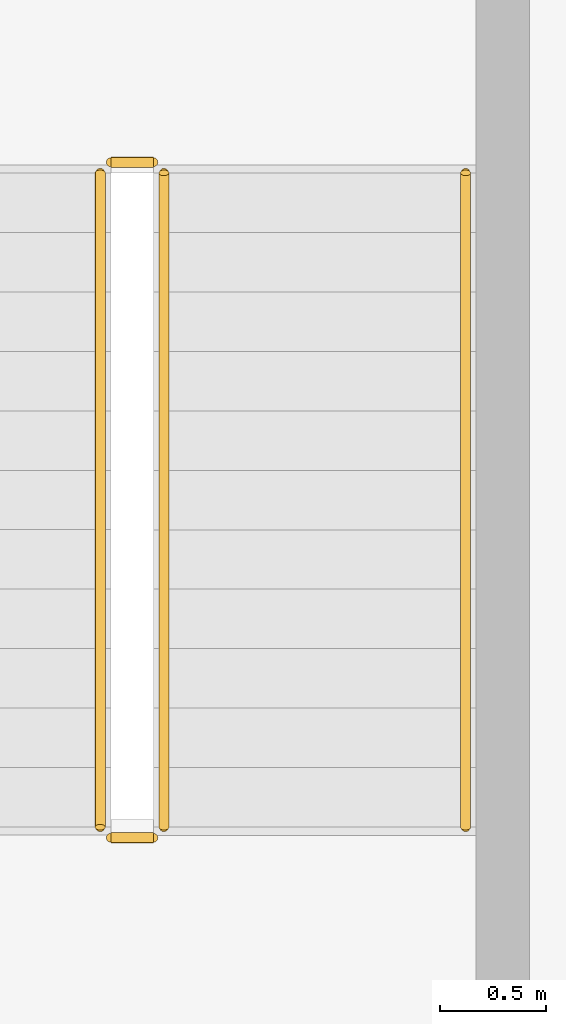
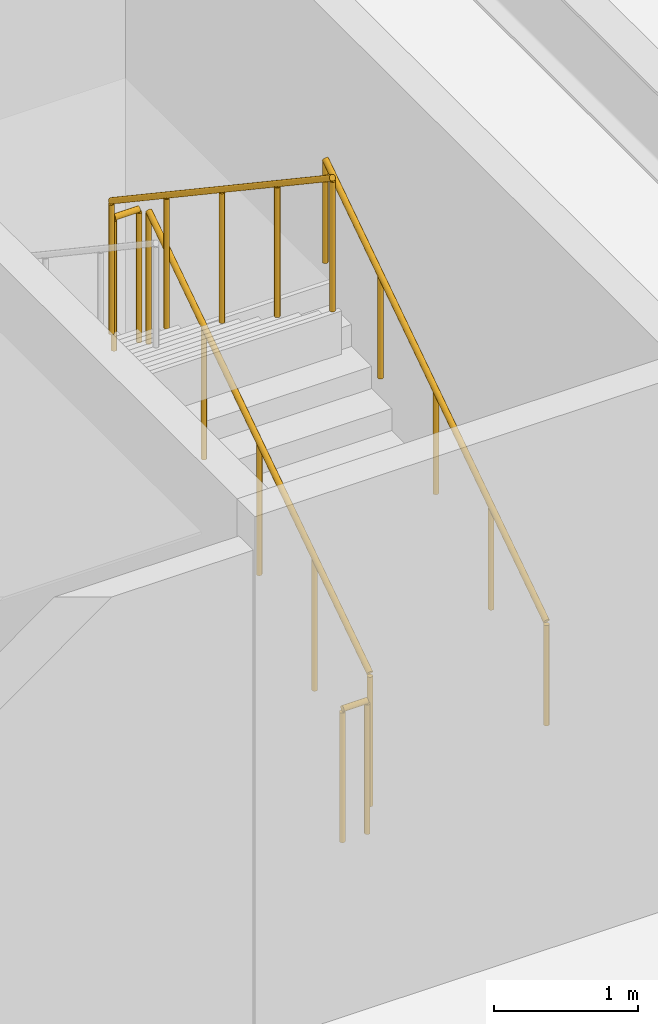
# One storey, part 42 of 43: 5 railings.
"""IFC4 building model written with IfcOpenShell, lengths in metres."""

from ifc_helpers import new_model, si_unit, direction, frame, origin, origin_2d, place, context, subcontext, project, spatial, circle, extrude, material, type_object, element, save


model = new_model("IFC4")

# Units and contexts
model_context = context("Model", 3, precision=1e-05, world=origin(), true_north=direction((0.0, 1.0)))
body_context = subcontext(model_context, "Body", "Model", "MODEL_VIEW")
ifc_project = project(units=[si_unit("LENGTHUNIT", "METRE"), si_unit("AREAUNIT", "SQUARE_METRE"), si_unit("VOLUMEUNIT", "CUBIC_METRE"), si_unit("PLANEANGLEUNIT", "RADIAN"), si_unit("MASSUNIT", "GRAM", prefix="KILO")], contexts=[model_context])

# Site, building, storey
site_placement = place(None, origin())
site = spatial("IfcSite", under=ifc_project, at=site_placement, CompositionType="ELEMENT")
building_placement = place(site_placement, origin())
building = spatial("IfcBuilding", under=site, at=building_placement, Name="Korimba Cascade Residences", CompositionType="ELEMENT")
storey_placement = place(building_placement, frame((0.0, 0.0, 10.0)))
storey = spatial("IfcBuildingStorey", under=building, at=storey_placement, Name="L02", CompositionType="ELEMENT", Elevation=10.0)

# Railings
ifc_material_1 = material(Name="Painted Steel Stairwell Guardrail", Category="steel")
railing_type_1 = type_object("IfcRailingType", Name="RLG-ST-GD1150", PredefinedType="GUARDRAIL", material=ifc_material_1)
railing_1_placement = place(storey_placement, frame((136.27001953125, 83.64990234375, 0.1875)))
element("IfcRailing", 1, at=railing_1_placement, inside=storey, type_object=railing_type_1, Name="L02 ST-P4 stair guard 1", PredefinedType="GUARDRAIL", context=body_context, shape_type="SweptSolid", body=[
    extrude(circle(Radius=0.02392578125, at=origin_2d()), frame((0.0, 0.0, 1.1259765625), z_axis=(0.0, 0.830913701846, 0.55640131208), x_axis=(-1.0, 0.0, 0.0)), (0.0, 0.0, 1.0), 3.706787109375),
    extrude(circle(Radius=0.02099609375, at=origin_2d()), origin(), (0.0, 0.0, 1.0), 1.101806640625),
    extrude(circle(Radius=0.02099609375, at=origin_2d()), frame((0.0, 0.77001953125, 0.515625)), (0.0, 0.0, 1.0), 1.101806640625),
    extrude(circle(Radius=0.02099609375, at=origin_2d()), frame((0.0, 1.5400390625, 1.03125)), (0.0, 0.0, 1.0), 1.101806640625),
    extrude(circle(Radius=0.02099609375, at=origin_2d()), frame((0.0, 2.31005859375, 1.546875)), (0.0, 0.0, 1.0), 1.101806640625),
    extrude(circle(Radius=0.02099609375, at=origin_2d()), frame((0.0, 3.080078125, 2.0625)), (0.0, 0.0, 1.0), 1.101806640625),
])
railing_2_placement = place(storey_placement, frame((136.219970703125, 86.780029296875, 2.25)))
element("IfcRailing", 2, at=railing_2_placement, inside=storey, type_object=railing_type_1, Name="L02 ST-P4 stair guard 2", PredefinedType="GUARDRAIL", context=body_context, shape_type="SweptSolid", body=[
    extrude(circle(Radius=0.02392578125, at=origin_2d()), frame((0.0, 0.0, 1.1259765625), z_axis=(-1.0, 0.0, 0.0), x_axis=(0.0, -1.0, 0.0)), (0.0, 0.0, 1.0), 0.199951171875),
    extrude(circle(Radius=0.02099609375, at=origin_2d()), origin(), (0.0, 0.0, 1.0), 1.101806640625),
    extrude(circle(Radius=0.02099609375, at=origin_2d()), frame((-0.199951171875, 0.0, 0.0)), (0.0, 0.0, 1.0), 1.101806640625),
])
railing_3_placement = place(storey_placement, frame((135.969970703125, 86.72998046875, 2.4375)))
element("IfcRailing", 3, at=railing_3_placement, inside=storey, type_object=railing_type_1, Name="L02 ST-P4 stair guard 3", PredefinedType="GUARDRAIL", context=body_context, shape_type="SweptSolid", body=[
    extrude(circle(Radius=0.02392578125, at=origin_2d()), frame((0.0, 0.0, 1.1259765625), z_axis=(0.0, -0.830913701846, 0.55640131208), x_axis=(1.0, 0.0, 0.0)), (0.0, 0.0, 1.0), 3.706787109375),
    extrude(circle(Radius=0.02099609375, at=origin_2d()), origin(), (0.0, 0.0, 1.0), 1.101806640625),
    extrude(circle(Radius=0.02099609375, at=origin_2d()), frame((0.0, -0.77001953125, 0.515625)), (0.0, 0.0, 1.0), 1.101806640625),
    extrude(circle(Radius=0.02099609375, at=origin_2d()), frame((0.0, -1.5400390625, 1.03125)), (0.0, 0.0, 1.0), 1.101806640625),
    extrude(circle(Radius=0.02099609375, at=origin_2d()), frame((0.0, -2.31005859375, 1.546875)), (0.0, 0.0, 1.0), 1.101806640625),
    extrude(circle(Radius=0.02099609375, at=origin_2d()), frame((0.0, -3.080078125, 2.0625)), (0.0, 0.0, 1.0), 1.101806640625),
])
railing_4_placement = place(storey_placement, frame((136.219970703125, 83.60009765625, 0.0)))
element("IfcRailing", 4, at=railing_4_placement, inside=storey, type_object=railing_type_1, Name="L02 ST-P4 stair guard 4", PredefinedType="GUARDRAIL", context=body_context, shape_type="SweptSolid", body=[
    extrude(circle(Radius=0.02392578125, at=origin_2d()), frame((0.0, 0.0, 1.1259765625), z_axis=(-1.0, 0.0, 0.0), x_axis=(0.0, -1.0, 0.0)), (0.0, 0.0, 1.0), 0.199951171875),
    extrude(circle(Radius=0.02099609375, at=origin_2d()), origin(), (0.0, 0.0, 1.0), 1.101806640625),
    extrude(circle(Radius=0.02099609375, at=origin_2d()), frame((-0.199951171875, 0.0, 0.0)), (0.0, 0.0, 1.0), 1.101806640625),
])
ifc_material_2 = material(Name="Brushed Stainless Steel Handrail", Category="steel")
railing_type_2 = type_object("IfcRailingType", Name="RLG-ST-HR900", PredefinedType="HANDRAIL", material=ifc_material_2)
railing_5_placement = place(storey_placement, frame((137.68994140625, 83.64990234375, 0.379150390625)))
element("IfcRailing", 5, at=railing_5_placement, inside=storey, type_object=railing_type_2, Name="L02 ST-P4 stair handrail 1", PredefinedType="HANDRAIL", context=body_context, shape_type="SweptSolid", body=[
    extrude(circle(Radius=0.02392578125, at=origin_2d()), frame((0.0, 0.0, 0.8759765625), z_axis=(0.0, 0.830913701846, 0.55640131208), x_axis=(-1.0, 0.0, 0.0)), (0.0, 0.0, 1.0), 3.706787109375),
    extrude(circle(Radius=0.02099609375, at=origin_2d()), origin(), (0.0, 0.0, 1.0), 0.851806640625),
    extrude(circle(Radius=0.02099609375, at=origin_2d()), frame((0.0, 0.77001953125, 0.515625)), (0.0, 0.0, 1.0), 0.851806640625),
    extrude(circle(Radius=0.02099609375, at=origin_2d()), frame((0.0, 1.5400390625, 1.03125)), (0.0, 0.0, 1.0), 0.851806640625),
    extrude(circle(Radius=0.02099609375, at=origin_2d()), frame((0.0, 2.31005859375, 1.546875)), (0.0, 0.0, 1.0), 0.851806640625),
    extrude(circle(Radius=0.02099609375, at=origin_2d()), frame((0.0, 3.080078125, 2.0625)), (0.0, 0.0, 1.0), 0.851806640625),
])

save(model, "model.ifc")
